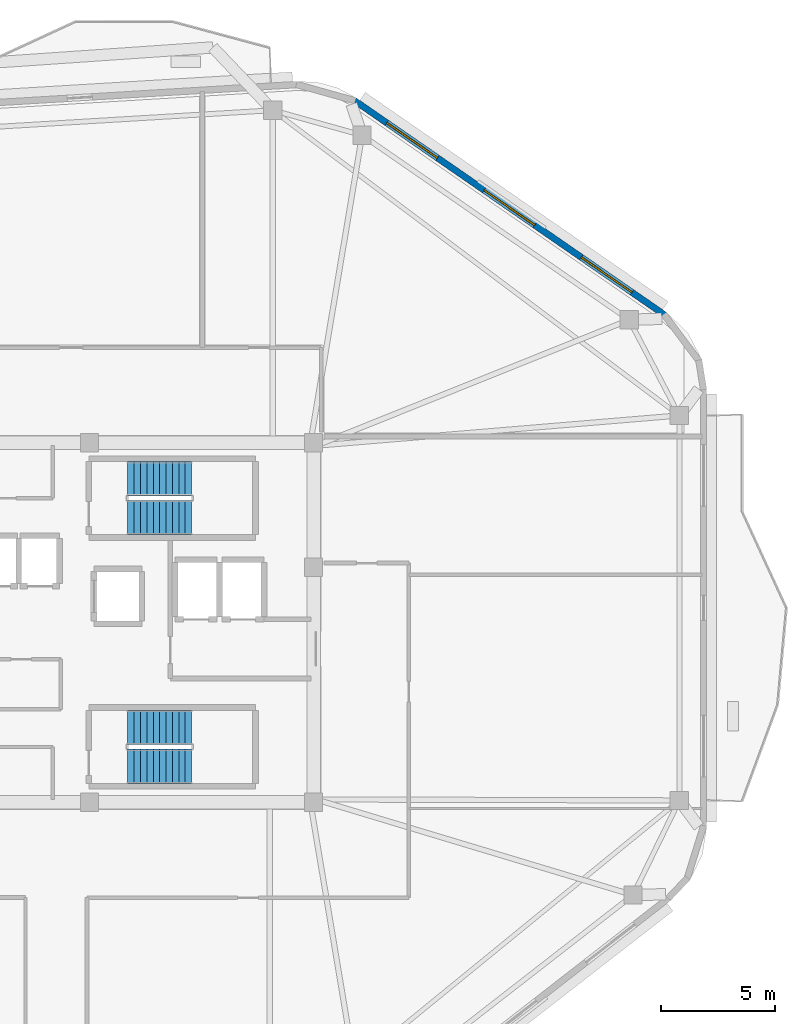
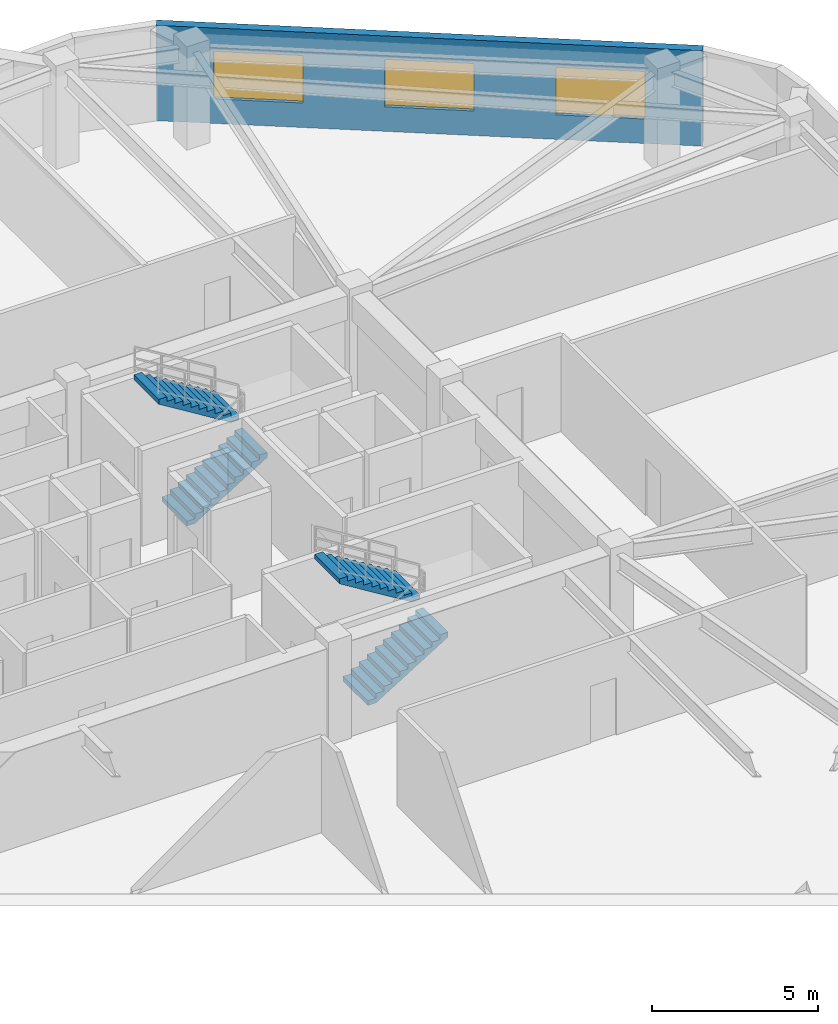
# One storey, part 6 of 9: 4 stair flights, 3 windows, 1 wall, 3 openings, 2 elements without a shape of their own.
"""IFC4 building model written with IfcOpenShell, lengths in metres."""

from ifc_helpers import new_model, si_unit, direction, frame, frame_2d, origin, place, context, subcontext, project, spatial, polyline, rectangle, outline, extrude, material, layer, layer_set, type_object, element, fill, aggregate, save


model = new_model("IFC4")

# Units and contexts
model_context = context("Model", 3, precision=1e-05, world=origin(), true_north=direction((0.0, 1.0)))
body_context = subcontext(model_context, "Body", "Model", "MODEL_VIEW")
ifc_project = project(units=[si_unit("LENGTHUNIT", "METRE"), si_unit("AREAUNIT", "SQUARE_METRE"), si_unit("VOLUMEUNIT", "CUBIC_METRE"), si_unit("PLANEANGLEUNIT", "RADIAN"), si_unit("MASSUNIT", "GRAM", prefix="KILO")], contexts=[model_context])

# Site, building, storey
site_placement = place(None, origin())
site = spatial("IfcSite", under=ifc_project, at=site_placement, CompositionType="ELEMENT")
building_placement = place(site_placement, origin())
building = spatial("IfcBuilding", under=site, at=building_placement, Name="Zulverin Broadcast Headquarters", CompositionType="ELEMENT")
storey_placement = place(building_placement, frame((0.0, 0.0, 266.800048828125)))
storey = spatial("IfcBuildingStorey", under=building, at=storey_placement, Name="L68", CompositionType="ELEMENT", Elevation=266.800048828125)

# Wall, openings, windows
ifc_material_1 = material(Name="Insulated pale-metal clad concrete spandrel C40/50", Category="concrete")
ifc_layer = layer(ifc_material_1, 0.280029296875, Name="Insulated pale-metal clad concrete spandrel C40/50", Category="concrete")
ifc_layer_set = layer_set([ifc_layer], Name="Insulated pale-metal clad concrete spandrel C40/50")
wall_type = type_object("IfcWallType", Name="WL-EXT-280", PredefinedType="STANDARD", material=ifc_layer_set)
wall_placement = place(storey_placement, frame((63.6513671875, 38.683349609375, 0.0), z_axis=(0.0, 0.0, 1.0), x_axis=(-0.822655095, 0.568540759022, 0.0)))
wall = element("IfcWall", 1, at=wall_placement, inside=storey, type_object=wall_type, Name="L68 Pale-Metal Clad Spandrel Wall 4", PredefinedType="STANDARD", context=body_context, shape_type="SweptSolid", body=[
    extrude(rectangle(XDim=16.52783203125, YDim=0.280029296875, at=frame_2d((8.263916015625, 0.0))), origin(), (0.0, 0.0, 1.0), 3.510009765625),
])
opening_1_placement = place(wall_placement, frame((1.738037109375, 0.0, 0.89990234375)))
opening_1 = element("IfcOpeningElement", 2, at=opening_1_placement, cuts=wall, Name="Opening W-L68-E41", PredefinedType="OPENING", context=body_context, shape_type="SweptSolid", body=[
    extrude(rectangle(XDim=2.699951171875, YDim=1.75, at=frame_2d((1.35009765625, 0.875))), frame((0.0, 0.14990234375, 0.0), z_axis=(0.0, -1.0, 0.0), x_axis=(1.0, 0.0, 0.0)), (0.0, 0.0, 1.0), 0.300048828125),
])
opening_2_placement = place(wall_placement, frame((6.9140625, 0.0, 0.89990234375)))
opening_2 = element("IfcOpeningElement", 3, at=opening_2_placement, cuts=wall, Name="Opening W-L68-E42", PredefinedType="OPENING", context=body_context, shape_type="SweptSolid", body=[
    extrude(rectangle(XDim=2.699951171875, YDim=1.75, at=frame_2d((1.35009765625, 0.875))), frame((0.0, 0.14990234375, 0.0), z_axis=(0.0, -1.0, 0.0), x_axis=(1.0, 0.0, 0.0)), (0.0, 0.0, 1.0), 0.300048828125),
])
opening_3_placement = place(wall_placement, frame((12.090087890625, 0.0, 0.89990234375)))
opening_3 = element("IfcOpeningElement", 4, at=opening_3_placement, cuts=wall, Name="Opening W-L68-E43", PredefinedType="OPENING", context=body_context, shape_type="SweptSolid", body=[
    extrude(rectangle(XDim=2.699951171875, YDim=1.75, at=frame_2d((1.35009765625, 0.875))), frame((0.0, 0.14990234375, 0.0), z_axis=(0.0, -1.0, 0.0), x_axis=(1.0, 0.0, 0.0)), (0.0, 0.0, 1.0), 0.300048828125),
])
ifc_material_2 = material(Name="Pale anodized aluminium frame with solar-control low-E double glazing", Category="aluminium")
window_type = type_object("IfcWindowType", Name="WIN-TWR-2700", PartitioningType="SINGLE_PANEL", PredefinedType="WINDOW", material=ifc_material_2)
window_1_placement = place(opening_1_placement, origin())
window_1 = element("IfcWindow", 5, at=window_1_placement, inside=storey, type_object=window_type, Name="L68 Ribbon Glazing Window 4 1", OverallHeight=1.75, OverallWidth=2.699951171875, PartitioningType="SINGLE_PANEL", PredefinedType="WINDOW", context=body_context, shape_type="SweptSolid", body=[
    extrude(rectangle(XDim=2.699951171875, YDim=1.75, at=frame_2d((1.35009765625, 0.875))), frame((0.0, 0.030029296875, 0.0), z_axis=(0.0, -1.0, 0.0), x_axis=(1.0, 0.0, 0.0)), (0.0, 0.0, 1.0), 0.06005859375),
])
fill(opening_1, window_1)
window_2_placement = place(opening_2_placement, origin())
window_2 = element("IfcWindow", 6, at=window_2_placement, inside=storey, type_object=window_type, Name="L68 Ribbon Glazing Window 4 2", OverallHeight=1.75, OverallWidth=2.699951171875, PartitioningType="SINGLE_PANEL", PredefinedType="WINDOW", context=body_context, shape_type="SweptSolid", body=[
    extrude(rectangle(XDim=2.699951171875, YDim=1.75, at=frame_2d((1.35009765625, 0.875))), frame((0.0, 0.030029296875, 0.0), z_axis=(0.0, -1.0, 0.0), x_axis=(1.0, 0.0, 0.0)), (0.0, 0.0, 1.0), 0.06005859375),
])
fill(opening_2, window_2)
window_3_placement = place(opening_3_placement, origin())
window_3 = element("IfcWindow", 7, at=window_3_placement, inside=storey, type_object=window_type, Name="L68 Ribbon Glazing Window 4 3", OverallHeight=1.75, OverallWidth=2.699951171875, PartitioningType="SINGLE_PANEL", PredefinedType="WINDOW", context=body_context, shape_type="SweptSolid", body=[
    extrude(rectangle(XDim=2.699951171875, YDim=1.75, at=frame_2d((1.35009765625, 0.875))), frame((0.0, 0.030029296875, 0.0), z_axis=(0.0, -1.0, 0.0), x_axis=(1.0, 0.0, 0.0)), (0.0, 0.0, 1.0), 0.06005859375),
])
fill(opening_3, window_3)

# Stair, stair flights
ifc_material_3 = material(Name="Concrete C40/50", Category="concrete")
stair_type = type_object("IfcStairType", Name="ST-CORE-1500", PredefinedType="HALF_TURN_STAIR", material=ifc_material_3)
stair_1_placement = place(storey_placement, origin())
stair_1 = element("IfcStair", 8, at=stair_1_placement, inside=storey, type_object=stair_type, Name="L68 Core Exit Stair ST-1", PredefinedType="HALF_TURN_STAIR")
stair_flight_type = type_object("IfcStairFlightType", Name="SF-CORE-1500", PredefinedType="STRAIGHT", material=ifc_material_3)
stair_flight_1_placement = place(storey_placement, frame((40.1298828125, 29.800048828125, 0.0), z_axis=(0.0, 0.0, 1.0), x_axis=(1.0, 0.0, 0.0)))
stair_flight_1 = element("IfcStairFlight", 9, at=stair_flight_1_placement, type_object=stair_flight_type, Name="ST-1 flight 1", NumberOfRisers=11, NumberOfTreads=10, PredefinedType="STRAIGHT", RiserHeight=0.172727273, TreadLength=0.28, context=body_context, shape_type="SweptSolid", body=[
    extrude(outline(polyline([(0.0, 0.0), (0.0, 0.172607421875), (0.280029296875, 0.172607421875), (0.280029296875, 0.345458984375), (0.56005859375, 0.345458984375), (0.56005859375, 0.51806640625), (0.840087890625, 0.51806640625), (0.840087890625, 0.69091796875), (1.1201171875, 0.69091796875), (1.1201171875, 0.863525390625), (1.39990234375, 0.863525390625), (1.39990234375, 1.036376953125), (1.679931640625, 1.036376953125), (1.679931640625, 1.208984375), (1.9599609375, 1.208984375), (1.9599609375, 1.3818359375), (2.239990234375, 1.3818359375), (2.239990234375, 1.554443359375), (2.52001953125, 1.554443359375), (2.52001953125, 1.727294921875), (2.800048828125, 1.727294921875), (2.800048828125, 1.89990234375), (2.800048828125, 1.551025390625), (0.285400390625, 0.0), (0.0, 0.0)])), frame((0.0, 0.75, 0.0), z_axis=(0.0, -1.0, 0.0), x_axis=(1.0, 0.0, 0.0)), (0.0, 0.0, 1.0), 1.5),
])
stair_flight_2_placement = place(storey_placement, frame((42.929931640625, 31.5, 1.89990234375), z_axis=(0.0, 0.0, 1.0), x_axis=(-1.0, 0.0, 0.0)))
stair_flight_2 = element("IfcStairFlight", 10, at=stair_flight_2_placement, type_object=stair_flight_type, Name="ST-1 flight 2", NumberOfRisers=11, NumberOfTreads=10, PredefinedType="STRAIGHT", RiserHeight=0.172727273, TreadLength=0.28, context=body_context, shape_type="SweptSolid", body=[
    extrude(outline(polyline([(0.0, 0.0), (0.0, 0.172607421875), (0.280029296875, 0.172607421875), (0.280029296875, 0.345458984375), (0.56005859375, 0.345458984375), (0.56005859375, 0.51806640625), (0.840087890625, 0.51806640625), (0.840087890625, 0.69091796875), (1.1201171875, 0.69091796875), (1.1201171875, 0.863525390625), (1.39990234375, 0.863525390625), (1.39990234375, 1.036376953125), (1.679931640625, 1.036376953125), (1.679931640625, 1.208984375), (1.9599609375, 1.208984375), (1.9599609375, 1.3818359375), (2.239990234375, 1.3818359375), (2.239990234375, 1.554443359375), (2.52001953125, 1.554443359375), (2.52001953125, 1.727294921875), (2.800048828125, 1.727294921875), (2.800048828125, 1.89990234375), (2.800048828125, 1.551025390625), (0.285400390625, 0.0), (0.0, 0.0)])), frame((0.0, 0.75, 0.0), z_axis=(0.0, -1.0, 0.0), x_axis=(1.0, 0.0, 0.0)), (0.0, 0.0, 1.0), 1.5),
])
aggregate(stair_1, [stair_flight_1, stair_flight_2])

stair_2_placement = place(storey_placement, origin())
stair_2 = element("IfcStair", 11, at=stair_2_placement, inside=storey, type_object=stair_type, Name="L68 Core Exit Stair ST-2", PredefinedType="HALF_TURN_STAIR")
stair_flight_3_placement = place(storey_placement, frame((40.1298828125, 18.89990234375, 0.0), z_axis=(0.0, 0.0, 1.0), x_axis=(1.0, 0.0, 0.0)))
stair_flight_3 = element("IfcStairFlight", 12, at=stair_flight_3_placement, type_object=stair_flight_type, Name="ST-2 flight 1", NumberOfRisers=11, NumberOfTreads=10, PredefinedType="STRAIGHT", RiserHeight=0.172727273, TreadLength=0.28, context=body_context, shape_type="SweptSolid", body=[
    extrude(outline(polyline([(0.0, 0.0), (0.0, 0.172607421875), (0.280029296875, 0.172607421875), (0.280029296875, 0.345458984375), (0.56005859375, 0.345458984375), (0.56005859375, 0.51806640625), (0.840087890625, 0.51806640625), (0.840087890625, 0.69091796875), (1.1201171875, 0.69091796875), (1.1201171875, 0.863525390625), (1.39990234375, 0.863525390625), (1.39990234375, 1.036376953125), (1.679931640625, 1.036376953125), (1.679931640625, 1.208984375), (1.9599609375, 1.208984375), (1.9599609375, 1.3818359375), (2.239990234375, 1.3818359375), (2.239990234375, 1.554443359375), (2.52001953125, 1.554443359375), (2.52001953125, 1.727294921875), (2.800048828125, 1.727294921875), (2.800048828125, 1.89990234375), (2.800048828125, 1.551025390625), (0.285400390625, 0.0), (0.0, 0.0)])), frame((0.0, 0.75, 0.0), z_axis=(0.0, -1.0, 0.0), x_axis=(1.0, 0.0, 0.0)), (0.0, 0.0, 1.0), 1.5),
])
stair_flight_4_placement = place(storey_placement, frame((42.929931640625, 20.60009765625, 1.89990234375), z_axis=(0.0, 0.0, 1.0), x_axis=(-1.0, 0.0, 0.0)))
stair_flight_4 = element("IfcStairFlight", 13, at=stair_flight_4_placement, type_object=stair_flight_type, Name="ST-2 flight 2", NumberOfRisers=11, NumberOfTreads=10, PredefinedType="STRAIGHT", RiserHeight=0.172727273, TreadLength=0.28, context=body_context, shape_type="SweptSolid", body=[
    extrude(outline(polyline([(0.0, 0.0), (0.0, 0.172607421875), (0.280029296875, 0.172607421875), (0.280029296875, 0.345458984375), (0.56005859375, 0.345458984375), (0.56005859375, 0.51806640625), (0.840087890625, 0.51806640625), (0.840087890625, 0.69091796875), (1.1201171875, 0.69091796875), (1.1201171875, 0.863525390625), (1.39990234375, 0.863525390625), (1.39990234375, 1.036376953125), (1.679931640625, 1.036376953125), (1.679931640625, 1.208984375), (1.9599609375, 1.208984375), (1.9599609375, 1.3818359375), (2.239990234375, 1.3818359375), (2.239990234375, 1.554443359375), (2.52001953125, 1.554443359375), (2.52001953125, 1.727294921875), (2.800048828125, 1.727294921875), (2.800048828125, 1.89990234375), (2.800048828125, 1.551025390625), (0.285400390625, 0.0), (0.0, 0.0)])), frame((0.0, 0.75, 0.0), z_axis=(0.0, -1.0, 0.0), x_axis=(1.0, 0.0, 0.0)), (0.0, 0.0, 1.0), 1.5),
])
aggregate(stair_2, [stair_flight_3, stair_flight_4])

save(model, "model.ifc")
